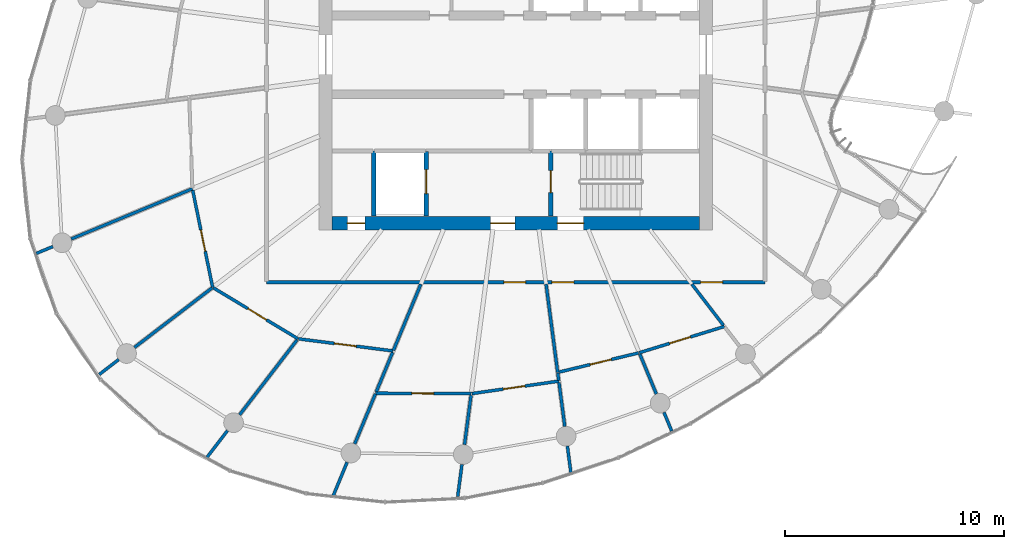
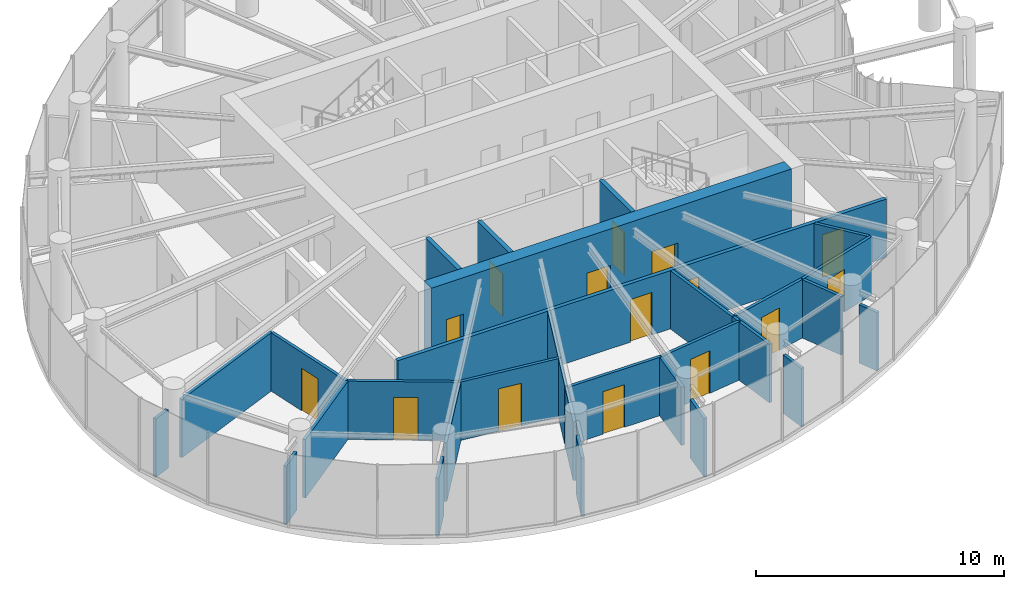
# One storey, part 12 of 17: 31 walls, 15 doors, 15 openings.
"""IFC4 building model written with IfcOpenShell, lengths in metres."""

from ifc_helpers import new_model, si_unit, direction, frame, frame_2d, origin, place, context, subcontext, project, spatial, rectangle, extrude, source, transform, mapped, material, layer, layer_set, type_object, element, fill, save


model = new_model("IFC4")

# Units and contexts
model_context = context("Model", 3, precision=1e-05, world=origin(), true_north=direction((0.0, 1.0)))
body_context = subcontext(model_context, "Body", "Model", "MODEL_VIEW")
ifc_project = project(units=[si_unit("LENGTHUNIT", "METRE"), si_unit("AREAUNIT", "SQUARE_METRE"), si_unit("VOLUMEUNIT", "CUBIC_METRE"), si_unit("PLANEANGLEUNIT", "RADIAN"), si_unit("MASSUNIT", "GRAM", prefix="KILO")], contexts=[model_context])

# Site, building, storey
site_placement = place(None, origin())
site = spatial("IfcSite", under=ifc_project, at=site_placement, CompositionType="ELEMENT")
building_placement = place(site_placement, origin())
building = spatial("IfcBuilding", under=site, at=building_placement, Name="Spindrift Exchange Tower", CompositionType="ELEMENT")
storey_placement = place(building_placement, frame((0.0, 0.0, 187.699951171875)))
storey = spatial("IfcBuildingStorey", under=building, at=storey_placement, Name="L45", CompositionType="ELEMENT", Elevation=187.699951171875)

# Wall, openings, doors
ifc_material_1 = material(Name="Concrete 50 MPa", Category="concrete")
ifc_layer_1 = layer(ifc_material_1, 0.60009765625)
ifc_layer_set_1 = layer_set([ifc_layer_1], Name="RC Core Wall 600 Concrete 50 MPa")
wall_type_1 = type_object("IfcWallType", Name="RC Core Wall 600 Concrete 50 MPa", PredefinedType="SHEAR", material=ifc_layer_set_1)
wall_1_placement = place(storey_placement, frame((43.60009765625, 40.300048828125, 0.0), z_axis=(0.0, 0.0, 1.0), x_axis=(1.0, 0.0, 0.0)))
wall_1 = element("IfcWall", 1, at=wall_1_placement, inside=storey, type_object=wall_type_1, Name="Core wall S L45", PredefinedType="SHEAR", context=body_context, shape_type="SweptSolid", body=[
    extrude(rectangle(XDim=16.7998046875, YDim=0.60009765625, at=frame_2d((8.39990234375, 0.0))), origin(), (0.0, 0.0, 1.0), 3.900146484375),
])
opening_1_placement = place(wall_1_placement, frame((10.300048828125, 0.0, 0.0)))
opening_1 = element("IfcOpeningElement", 2, at=opening_1_placement, cuts=wall_1, Name="Opening L45-D15", PredefinedType="OPENING", context=body_context, shape_type="SweptSolid", body=[
    extrude(rectangle(XDim=1.199951171875, YDim=2.10009765625, at=frame_2d((0.60009765625, 1.050048828125))), frame((0.0, 0.31005859375, 0.0), z_axis=(0.0, -1.0, 0.0), x_axis=(1.0, 0.0, 0.0)), (0.0, 0.0, 1.0), 0.6201171875),
])
opening_2_placement = place(wall_1_placement, frame((7.25, 0.0, 0.0)))
opening_2 = element("IfcOpeningElement", 3, at=opening_2_placement, cuts=wall_1, Name="Opening L45-D17", PredefinedType="OPENING", context=body_context, shape_type="SweptSolid", body=[
    extrude(rectangle(XDim=1.10009765625, YDim=2.10009765625, at=frame_2d((0.550048828125, 1.050048828125))), frame((0.0, 0.31005859375, 0.0), z_axis=(0.0, -1.0, 0.0), x_axis=(1.0, 0.0, 0.0)), (0.0, 0.0, 1.0), 0.6201171875),
])
opening_3_placement = place(wall_1_placement, frame((0.699951171875, 0.0, 0.0)))
opening_3 = element("IfcOpeningElement", 4, at=opening_3_placement, cuts=wall_1, Name="Opening L45-D18", PredefinedType="OPENING", context=body_context, shape_type="SweptSolid", body=[
    extrude(rectangle(XDim=0.800048828125, YDim=2.10009765625, at=frame_2d((0.39990234375, 1.050048828125))), frame((0.0, 0.31005859375, 0.0), z_axis=(0.0, -1.0, 0.0), x_axis=(1.0, 0.0, 0.0)), (0.0, 0.0, 1.0), 0.6201171875),
])
ifc_material_2 = material(Name="Steel fire door", Category="steel")
door_type_1 = type_object("IfcDoorType", Name="DR-STAIR-1200", OperationType="NOTDEFINED", PredefinedType="DOOR", material=ifc_material_2)
shared_shape_1 = source(origin(), body_context, "Body", "SweptSolid", [
    extrude(rectangle(XDim=1.199951171875, YDim=2.10009765625, at=frame_2d((0.60009765625, 1.050048828125))), frame((0.0, 0.02490234375, 0.0), z_axis=(0.0, -1.0, 0.0), x_axis=(1.0, 0.0, 0.0)), (0.0, 0.0, 1.0), 0.050048828125),
])
door_1_placement = place(opening_1_placement, origin())
door_1 = element("IfcDoor", 5, at=door_1_placement, inside=storey, type_object=door_type_1, Name="L45 Stair door 15", OperationType="SINGLE_SWING_LEFT", OverallHeight=2.10009765625, OverallWidth=1.199951171875, PredefinedType="DOOR", context=body_context, shape_type="MappedRepresentation", body=[
    mapped(shared_shape_1, transform((0.0, 0.0, 0.0), scale=1.0)),
])
fill(opening_1, door_1)
ifc_material_3 = material(Name="Timber-core fire door", Category="wood")
door_type_2 = type_object("IfcDoorType", Name="DR-LOBBY-1100", OperationType="NOTDEFINED", PredefinedType="DOOR", material=ifc_material_3)
shared_shape_2 = source(origin(), body_context, "Body", "SweptSolid", [
    extrude(rectangle(XDim=1.10009765625, YDim=2.10009765625, at=frame_2d((0.550048828125, 1.050048828125))), frame((0.0, 0.02490234375, 0.0), z_axis=(0.0, -1.0, 0.0), x_axis=(1.0, 0.0, 0.0)), (0.0, 0.0, 1.0), 0.050048828125),
])
door_2_placement = place(opening_2_placement, origin())
door_2 = element("IfcDoor", 6, at=door_2_placement, inside=storey, type_object=door_type_2, Name="L45 Lobby door 17", OperationType="SINGLE_SWING_LEFT", OverallHeight=2.10009765625, OverallWidth=1.10009765625, PredefinedType="DOOR", context=body_context, shape_type="MappedRepresentation", body=[
    mapped(shared_shape_2, transform((0.0, 0.0, 0.0), scale=1.0)),
])
fill(opening_2, door_2)
ifc_material_4 = material(Name="Steel access door", Category="steel")
door_type_3 = type_object("IfcDoorType", Name="DR-RISER-800", OperationType="NOTDEFINED", PredefinedType="DOOR", material=ifc_material_4)
shared_shape_3 = source(origin(), body_context, "Body", "SweptSolid", [
    extrude(rectangle(XDim=0.800048828125, YDim=2.10009765625, at=frame_2d((0.39990234375, 1.050048828125))), frame((0.0, 0.02490234375, 0.0), z_axis=(0.0, -1.0, 0.0), x_axis=(1.0, 0.0, 0.0)), (0.0, 0.0, 1.0), 0.050048828125),
])
door_3_placement = place(opening_3_placement, origin())
door_3 = element("IfcDoor", 7, at=door_3_placement, inside=storey, type_object=door_type_3, Name="L45 Riser door 18", OperationType="SINGLE_SWING_RIGHT", OverallHeight=2.10009765625, OverallWidth=0.800048828125, PredefinedType="DOOR", context=body_context, shape_type="MappedRepresentation", body=[
    mapped(shared_shape_3, transform((0.0, 0.0, 0.0), scale=1.0)),
])
fill(opening_3, door_3)

ifc_material_5 = material(Name="Fire-rated plasterboard partition", Category="gypsum")
ifc_layer_2 = layer(ifc_material_5, 0.179931640625)
ifc_layer_set_2 = layer_set([ifc_layer_2], Name="W-CORR-180")
wall_type_2 = type_object("IfcWallType", Name="W-CORR-180", PredefinedType="PARTITIONING", material=ifc_layer_set_2)
wall_2_placement = place(storey_placement, frame((63.39990234375, 37.60009765625, 0.0), z_axis=(0.0, 0.0, 1.0), x_axis=(-1.0, 0.0, 0.0)))
wall_2 = element("IfcWall", 8, at=wall_2_placement, inside=storey, type_object=wall_type_2, Name="L45 Partition wall 28", PredefinedType="PARTITIONING", context=body_context, shape_type="SweptSolid", body=[
    extrude(rectangle(XDim=22.7998046875, YDim=0.179931640625, at=frame_2d((11.39990234375, 0.0))), origin(), (0.0, 0.0, 1.0), 2.880126953125),
])
opening_4_placement = place(wall_2_placement, frame((10.949951171875, 0.0, 0.0)))
opening_4 = element("IfcOpeningElement", 9, at=opening_4_placement, cuts=wall_2, Name="Opening L45-D34", PredefinedType="OPENING", context=body_context, shape_type="SweptSolid", body=[
    extrude(rectangle(XDim=1.0, YDim=2.10009765625, at=frame_2d((0.5, 1.050048828125))), frame((0.0, 0.099853515625, 0.0), z_axis=(0.0, -1.0, 0.0), x_axis=(1.0, 0.0, 0.0)), (0.0, 0.0, 1.0), 0.199951171875),
])
opening_5_placement = place(wall_2_placement, frame((8.75, 0.0, 0.0)))
opening_5 = element("IfcOpeningElement", 10, at=opening_5_placement, cuts=wall_2, Name="Opening L45-D37", PredefinedType="OPENING", context=body_context, shape_type="SweptSolid", body=[
    extrude(rectangle(XDim=1.0, YDim=2.10009765625, at=frame_2d((0.5, 1.050048828125))), frame((0.0, 0.099853515625, 0.0), z_axis=(0.0, -1.0, 0.0), x_axis=(1.0, 0.0, 0.0)), (0.0, 0.0, 1.0), 0.199951171875),
])
opening_6_placement = place(wall_2_placement, frame((1.949951171875, 0.0, 0.0)))
opening_6 = element("IfcOpeningElement", 11, at=opening_6_placement, cuts=wall_2, Name="Opening L45-D40", PredefinedType="OPENING", context=body_context, shape_type="SweptSolid", body=[
    extrude(rectangle(XDim=1.0, YDim=2.10009765625, at=frame_2d((0.5, 1.050048828125))), frame((0.0, 0.099853515625, 0.0), z_axis=(0.0, -1.0, 0.0), x_axis=(1.0, 0.0, 0.0)), (0.0, 0.0, 1.0), 0.199951171875),
])
door_type_4 = type_object("IfcDoorType", Name="DR-ROOM-1000", OperationType="NOTDEFINED", PredefinedType="DOOR", material=ifc_material_3)
shared_shape_4 = source(origin(), body_context, "Body", "SweptSolid", [
    extrude(rectangle(XDim=1.0, YDim=2.10009765625, at=frame_2d((0.5, 1.050048828125))), frame((0.0, 0.02490234375, 0.0), z_axis=(0.0, -1.0, 0.0), x_axis=(1.0, 0.0, 0.0)), (0.0, 0.0, 1.0), 0.050048828125),
])
door_4_placement = place(opening_4_placement, origin())
door_4 = element("IfcDoor", 12, at=door_4_placement, inside=storey, type_object=door_type_4, Name="L45 Door 34", OperationType="SINGLE_SWING_RIGHT", OverallHeight=2.10009765625, OverallWidth=1.0, PredefinedType="DOOR", context=body_context, shape_type="MappedRepresentation", body=[
    mapped(shared_shape_4, transform((0.0, 0.0, 0.0), scale=1.0)),
])
fill(opening_4, door_4)
door_5_placement = place(opening_5_placement, origin())
door_5 = element("IfcDoor", 13, at=door_5_placement, inside=storey, type_object=door_type_4, Name="L45 Door 37", OperationType="SINGLE_SWING_LEFT", OverallHeight=2.10009765625, OverallWidth=1.0, PredefinedType="DOOR", context=body_context, shape_type="MappedRepresentation", body=[
    mapped(shared_shape_4, transform((0.0, 0.0, 0.0), scale=1.0)),
])
fill(opening_5, door_5)
door_6_placement = place(opening_6_placement, origin())
door_6 = element("IfcDoor", 14, at=door_6_placement, inside=storey, type_object=door_type_4, Name="L45 Door 40", OperationType="SINGLE_SWING_RIGHT", OverallHeight=2.10009765625, OverallWidth=1.0, PredefinedType="DOOR", context=body_context, shape_type="MappedRepresentation", body=[
    mapped(shared_shape_4, transform((0.0, 0.0, 0.0), scale=1.0)),
])
fill(opening_6, door_6)

# Wall
ifc_layer_3 = layer(ifc_material_5, 0.139892578125)
ifc_layer_set_3 = layer_set([ifc_layer_3], Name="W-PART-140")
wall_type_3 = type_object("IfcWallType", Name="W-PART-140", PredefinedType="PARTITIONING", material=ifc_layer_set_3)
wall_3_placement = place(storey_placement, frame((37.208740234375, 41.873291015625, 0.0), z_axis=(0.0, 0.0, 1.0), x_axis=(-0.923876934089, -0.38268970545, 0.0)))
element("IfcWall", 15, at=wall_3_placement, inside=storey, type_object=wall_type_3, Name="L45 Partition wall 31", PredefinedType="PARTITIONING", context=body_context, shape_type="SweptSolid", body=[
    extrude(rectangle(XDim=5.998046875, YDim=0.139892578125, at=frame_2d((2.9990234375, 0.0))), origin(), (0.0, 0.0, 1.0), 2.880126953125),
])

# Wall, opening, door
wall_4_placement = place(storey_placement, frame((38.13623046875, 37.362060546875, 0.0), z_axis=(0.0, 0.0, 1.0), x_axis=(-0.201373374917, 0.979514555213, 0.0)))
wall_4 = element("IfcWall", 16, at=wall_4_placement, inside=storey, type_object=wall_type_3, Name="L45 Partition wall 34", PredefinedType="PARTITIONING", context=body_context, shape_type="SweptSolid", body=[
    extrude(rectangle(XDim=4.5341796875, YDim=0.139892578125, at=frame_2d((2.26708984375, 0.0))), origin(), (0.0, 0.0, 1.0), 2.880126953125),
])
opening_7_placement = place(wall_4_placement, frame((1.684326171875, 0.0, 0.0)))
opening_7 = element("IfcOpeningElement", 17, at=opening_7_placement, cuts=wall_4, Name="Opening L45-D31", PredefinedType="OPENING", context=body_context, shape_type="SweptSolid", body=[
    extrude(rectangle(XDim=1.0, YDim=2.10009765625, at=frame_2d((0.5, 1.050048828125))), frame((0.0, 0.079833984375, 0.0), z_axis=(0.0, -1.0, 0.0), x_axis=(1.0, 0.0, 0.0)), (0.0, 0.0, 1.0), 0.159912109375),
])
door_7_placement = place(opening_7_placement, origin())
door_7 = element("IfcDoor", 18, at=door_7_placement, inside=storey, type_object=door_type_4, Name="L45 Door 31", OperationType="SINGLE_SWING_LEFT", OverallHeight=2.10009765625, OverallWidth=1.0, PredefinedType="DOOR", context=body_context, shape_type="MappedRepresentation", body=[
    mapped(shared_shape_4, transform((0.0, 0.0, 0.0), scale=1.0)),
])
fill(opening_7, door_7)

wall_5_placement = place(storey_placement, frame((42.0361328125, 35.014892578125, 0.0), z_axis=(0.0, 0.0, 1.0), x_axis=(-0.856772700272, 0.515694231176, 0.0)))
wall_5 = element("IfcWall", 19, at=wall_5_placement, inside=storey, type_object=wall_type_3, Name="L45 Partition wall 35", PredefinedType="PARTITIONING", context=body_context, shape_type="SweptSolid", body=[
    extrude(rectangle(XDim=4.521728515625, YDim=0.139892578125, at=frame_2d((2.2607421875, 0.0))), origin(), (0.0, 0.0, 1.0), 2.880126953125),
])
opening_8_placement = place(wall_5_placement, frame((1.671630859375, 0.0, 0.0)))
opening_8 = element("IfcOpeningElement", 20, at=opening_8_placement, cuts=wall_5, Name="Opening L45-D32", PredefinedType="OPENING", context=body_context, shape_type="SweptSolid", body=[
    extrude(rectangle(XDim=1.0, YDim=2.10009765625, at=frame_2d((0.5, 1.050048828125))), frame((0.0, 0.079833984375, 0.0), z_axis=(0.0, -1.0, 0.0), x_axis=(1.0, 0.0, 0.0)), (0.0, 0.0, 1.0), 0.159912109375),
])
door_8_placement = place(opening_8_placement, origin())
door_8 = element("IfcDoor", 21, at=door_8_placement, inside=storey, type_object=door_type_4, Name="L45 Door 32", OperationType="SINGLE_SWING_RIGHT", OverallHeight=2.10009765625, OverallWidth=1.0, PredefinedType="DOOR", context=body_context, shape_type="MappedRepresentation", body=[
    mapped(shared_shape_4, transform((0.0, 0.0, 0.0), scale=1.0)),
])
fill(opening_8, door_8)

# Wall
wall_6_placement = place(storey_placement, frame((38.112548828125, 37.34375, 0.0), z_axis=(0.0, 0.0, 1.0), x_axis=(-0.793352786595, -0.608762150599, 0.0)))
element("IfcWall", 22, at=wall_6_placement, inside=storey, type_object=wall_type_3, Name="L45 Partition wall 36", PredefinedType="PARTITIONING", context=body_context, shape_type="SweptSolid", body=[
    extrude(rectangle(XDim=4.479736328125, YDim=0.139892578125, at=frame_2d((2.23974609375, 0.0))), origin(), (0.0, 0.0, 1.0), 2.880126953125),
])

# Wall, opening, door
wall_7_placement = place(storey_placement, frame((46.390380859375, 34.45751953125, 0.0), z_axis=(0.0, 0.0, 1.0), x_axis=(-0.991909170029, 0.126949590044, 0.0)))
wall_7 = element("IfcWall", 23, at=wall_7_placement, inside=storey, type_object=wall_type_3, Name="L45 Partition wall 37", PredefinedType="PARTITIONING", context=body_context, shape_type="SweptSolid", body=[
    extrude(rectangle(XDim=4.359619140625, YDim=0.139892578125, at=frame_2d((2.1796875, 0.0))), origin(), (0.0, 0.0, 1.0), 2.880126953125),
])
opening_9_placement = place(wall_7_placement, frame((1.7099609375, 0.0, 0.0)))
opening_9 = element("IfcOpeningElement", 24, at=opening_9_placement, cuts=wall_7, Name="Opening L45-D33", PredefinedType="OPENING", context=body_context, shape_type="SweptSolid", body=[
    extrude(rectangle(XDim=1.0, YDim=2.10009765625, at=frame_2d((0.5, 1.050048828125))), frame((0.0, 0.079833984375, 0.0), z_axis=(0.0, -1.0, 0.0), x_axis=(1.0, 0.0, 0.0)), (0.0, 0.0, 1.0), 0.159912109375),
])
door_9_placement = place(opening_9_placement, origin())
door_9 = element("IfcDoor", 25, at=door_9_placement, inside=storey, type_object=door_type_4, Name="L45 Door 33", OperationType="SINGLE_SWING_LEFT", OverallHeight=2.10009765625, OverallWidth=1.0, PredefinedType="DOOR", context=body_context, shape_type="MappedRepresentation", body=[
    mapped(shared_shape_4, transform((0.0, 0.0, 0.0), scale=1.0)),
])
fill(opening_9, door_9)

# Wall
wall_8_placement = place(storey_placement, frame((41.993408203125, 34.958984375, 0.0), z_axis=(0.0, 0.0, 1.0), x_axis=(-0.608785643194, -0.793334759506, 0.0)))
element("IfcWall", 26, at=wall_8_placement, inside=storey, type_object=wall_type_3, Name="L45 Partition wall 38", PredefinedType="PARTITIONING", context=body_context, shape_type="SweptSolid", body=[
    extrude(rectangle(XDim=4.312744140625, YDim=0.139892578125, at=frame_2d((2.15625, 0.0))), origin(), (0.0, 0.0, 1.0), 2.880126953125),
])

# Wall, opening, door
wall_9_placement = place(storey_placement, frame((49.959716796875, 32.5029296875, 0.0), z_axis=(0.0, 0.0, 1.0), x_axis=(-0.999986789233, 0.005140171226, 0.0)))
wall_9 = element("IfcWall", 27, at=wall_9_placement, inside=storey, type_object=wall_type_3, Name="L45 Partition wall 39", PredefinedType="PARTITIONING", context=body_context, shape_type="SweptSolid", body=[
    extrude(rectangle(XDim=4.36962890625, YDim=0.139892578125, at=frame_2d((2.184814453125, 0.0))), origin(), (0.0, 0.0, 1.0), 2.880126953125),
])
opening_10_placement = place(wall_9_placement, frame((1.7197265625, 0.0, 0.0)))
opening_10 = element("IfcOpeningElement", 28, at=opening_10_placement, cuts=wall_9, Name="Opening L45-D35", PredefinedType="OPENING", context=body_context, shape_type="SweptSolid", body=[
    extrude(rectangle(XDim=1.0, YDim=2.10009765625, at=frame_2d((0.5, 1.050048828125))), frame((0.0, 0.079833984375, 0.0), z_axis=(0.0, -1.0, 0.0), x_axis=(1.0, 0.0, 0.0)), (0.0, 0.0, 1.0), 0.159912109375),
])
door_10_placement = place(opening_10_placement, origin())
door_10 = element("IfcDoor", 29, at=door_10_placement, inside=storey, type_object=door_type_4, Name="L45 Door 35", OperationType="SINGLE_SWING_LEFT", OverallHeight=2.10009765625, OverallWidth=1.0, PredefinedType="DOOR", context=body_context, shape_type="MappedRepresentation", body=[
    mapped(shared_shape_4, transform((0.0, 0.0, 0.0), scale=1.0)),
])
fill(opening_10, door_10)

# Wall
wall_10_placement = place(storey_placement, frame((53.381103515625, 37.510009765625, 0.0), z_axis=(0.0, 0.0, 1.0), x_axis=(0.130488670912, -0.991449800425, 0.0)))
element("IfcWall", 30, at=wall_10_placement, inside=storey, type_object=wall_type_3, Name="L45 Partition wall 47", PredefinedType="PARTITIONING", context=body_context, shape_type="SweptSolid", body=[
    extrude(rectangle(XDim=4.0673828125, YDim=0.139892578125, at=frame_2d((2.03369140625, 0.0))), origin(), (0.0, 0.0, 1.0), 2.880126953125),
])

# Wall, opening, door
wall_11_placement = place(storey_placement, frame((61.533447265625, 35.57568359375, 0.0), z_axis=(0.0, 0.0, 1.0), x_axis=(-0.955550499177, -0.294827480949, 0.0)))
wall_11 = element("IfcWall", 31, at=wall_11_placement, inside=storey, type_object=wall_type_3, Name="L45 Partition wall 48", PredefinedType="PARTITIONING", context=body_context, shape_type="SweptSolid", body=[
    extrude(rectangle(XDim=4.07080078125, YDim=0.139892578125, at=frame_2d((2.035400390625, 0.0))), origin(), (0.0, 0.0, 1.0), 2.880126953125),
])
opening_11_placement = place(wall_11_placement, frame((1.620849609375, 0.0, 0.0)))
opening_11 = element("IfcOpeningElement", 32, at=opening_11_placement, cuts=wall_11, Name="Opening L45-D39", PredefinedType="OPENING", context=body_context, shape_type="SweptSolid", body=[
    extrude(rectangle(XDim=1.0, YDim=2.10009765625, at=frame_2d((0.5, 1.050048828125))), frame((0.0, 0.079833984375, 0.0), z_axis=(0.0, -1.0, 0.0), x_axis=(1.0, 0.0, 0.0)), (0.0, 0.0, 1.0), 0.159912109375),
])
door_11_placement = place(opening_11_placement, origin())
door_11 = element("IfcDoor", 33, at=door_11_placement, inside=storey, type_object=door_type_4, Name="L45 Door 39", OperationType="SINGLE_SWING_LEFT", OverallHeight=2.10009765625, OverallWidth=1.0, PredefinedType="DOOR", context=body_context, shape_type="MappedRepresentation", body=[
    mapped(shared_shape_4, transform((0.0, 0.0, 0.0), scale=1.0)),
])
fill(opening_11, door_11)

wall_12_placement = place(storey_placement, frame((53.964599609375, 33.077880859375, 0.0), z_axis=(0.0, 0.0, 1.0), x_axis=(-0.989847101662, -0.142136256215, 0.0)))
wall_12 = element("IfcWall", 34, at=wall_12_placement, inside=storey, type_object=wall_type_3, Name="L45 Partition wall 49", PredefinedType="PARTITIONING", context=body_context, shape_type="SweptSolid", body=[
    extrude(rectangle(XDim=4.015869140625, YDim=0.139892578125, at=frame_2d((2.0078125, 0.0))), origin(), (0.0, 0.0, 1.0), 2.880126953125),
])
opening_12_placement = place(wall_12_placement, frame((1.56591796875, 0.0, 0.0)))
opening_12 = element("IfcOpeningElement", 35, at=opening_12_placement, cuts=wall_12, Name="Opening L45-D36", PredefinedType="OPENING", context=body_context, shape_type="SweptSolid", body=[
    extrude(rectangle(XDim=1.0, YDim=2.10009765625, at=frame_2d((0.5, 1.050048828125))), frame((0.0, 0.079833984375, 0.0), z_axis=(0.0, -1.0, 0.0), x_axis=(1.0, 0.0, 0.0)), (0.0, 0.0, 1.0), 0.159912109375),
])
door_12_placement = place(opening_12_placement, origin())
door_12 = element("IfcDoor", 36, at=door_12_placement, inside=storey, type_object=door_type_4, Name="L45 Door 36", OperationType="SINGLE_SWING_RIGHT", OverallHeight=2.10009765625, OverallWidth=1.0, PredefinedType="DOOR", context=body_context, shape_type="MappedRepresentation", body=[
    mapped(shared_shape_4, transform((0.0, 0.0, 0.0), scale=1.0)),
])
fill(opening_12, door_12)

wall_13_placement = place(storey_placement, frame((57.614501953125, 34.368408203125, 0.0), z_axis=(0.0, 0.0, 1.0), x_axis=(-0.97224482682, -0.233965802463, 0.0)))
wall_13 = element("IfcWall", 37, at=wall_13_placement, inside=storey, type_object=wall_type_3, Name="L45 Partition wall 52", PredefinedType="PARTITIONING", context=body_context, shape_type="SweptSolid", body=[
    extrude(rectangle(XDim=3.73779296875, YDim=0.139892578125, at=frame_2d((1.868896484375, 0.0))), origin(), (0.0, 0.0, 1.0), 2.880126953125),
])
opening_13_placement = place(wall_13_placement, frame((1.28759765625, 0.0, 0.0)))
opening_13 = element("IfcOpeningElement", 38, at=opening_13_placement, cuts=wall_13, Name="Opening L45-D38", PredefinedType="OPENING", context=body_context, shape_type="SweptSolid", body=[
    extrude(rectangle(XDim=1.0, YDim=2.10009765625, at=frame_2d((0.5, 1.050048828125))), frame((0.0, 0.079833984375, 0.0), z_axis=(0.0, -1.0, 0.0), x_axis=(1.0, 0.0, 0.0)), (0.0, 0.0, 1.0), 0.159912109375),
])
door_13_placement = place(opening_13_placement, origin())
door_13 = element("IfcDoor", 39, at=door_13_placement, inside=storey, type_object=door_type_4, Name="L45 Door 38", OperationType="SINGLE_SWING_RIGHT", OverallHeight=2.10009765625, OverallWidth=1.0, PredefinedType="DOOR", context=body_context, shape_type="MappedRepresentation", body=[
    mapped(shared_shape_4, transform((0.0, 0.0, 0.0), scale=1.0)),
])
fill(opening_13, door_13)

# Walls
wall_14_placement = place(storey_placement, frame((47.65478515625, 37.510009765625, 0.0), z_axis=(0.0, 0.0, 1.0), x_axis=(-0.382613033564, -0.923908689507, 0.0)))
element("IfcWall", 40, at=wall_14_placement, inside=storey, type_object=wall_type_3, Name="L45 Partition wall 57", PredefinedType="PARTITIONING", context=body_context, shape_type="SweptSolid", body=[
    extrude(rectangle(XDim=3.27392578125, YDim=0.139892578125, at=frame_2d((1.636962890625, 0.0))), origin(), (0.0, 0.0, 1.0), 2.880126953125),
])
wall_15_placement = place(storey_placement, frame((60.04931640625, 37.510009765625, 0.0), z_axis=(0.0, 0.0, 1.0), x_axis=(0.608756795241, -0.793356895885, 0.0)))
element("IfcWall", 41, at=wall_15_placement, inside=storey, type_object=wall_type_3, Name="L45 Partition wall 62", PredefinedType="PARTITIONING", context=body_context, shape_type="SweptSolid", body=[
    extrude(rectangle(XDim=2.36328125, YDim=0.139892578125, at=frame_2d((1.181640625, 0.0))), origin(), (0.0, 0.0, 1.0), 2.880126953125),
])
wall_16_placement = place(storey_placement, frame((45.57861328125, 32.49755859375, 0.0), z_axis=(0.0, 0.0, 1.0), x_axis=(-0.38268861501, -0.923877385773, 0.0)))
element("IfcWall", 42, at=wall_16_placement, inside=storey, type_object=wall_type_3, Name="L45 Partition wall 63", PredefinedType="PARTITIONING", context=body_context, shape_type="SweptSolid", body=[
    extrude(rectangle(XDim=2.475341796875, YDim=0.139892578125, at=frame_2d((1.23779296875, 0.0))), origin(), (0.0, 0.0, 1.0), 2.880126953125),
])
wall_17_placement = place(storey_placement, frame((49.95068359375, 32.43310546875, 0.0), z_axis=(0.0, 0.0, 1.0), x_axis=(-0.130620685545, -0.991432416511, 0.0)))
element("IfcWall", 43, at=wall_17_placement, inside=storey, type_object=wall_type_3, Name="L45 Partition wall 66", PredefinedType="PARTITIONING", context=body_context, shape_type="SweptSolid", body=[
    extrude(rectangle(XDim=2.2802734375, YDim=0.139892578125, at=frame_2d((1.14013671875, 0.0))), origin(), (0.0, 0.0, 1.0), 2.880126953125),
])
wall_18_placement = place(storey_placement, frame((46.36279296875, 34.390380859375, 0.0), z_axis=(0.0, 0.0, 1.0), x_axis=(-0.382714283838, -0.923866752809, 0.0)))
element("IfcWall", 44, at=wall_18_placement, inside=storey, type_object=wall_type_3, Name="L45 Partition wall 68", PredefinedType="PARTITIONING", context=body_context, shape_type="SweptSolid", body=[
    extrude(rectangle(XDim=1.943115234375, YDim=0.139892578125, at=frame_2d((0.9716796875, 0.0))), origin(), (0.0, 0.0, 1.0), 2.880126953125),
])
wall_19_placement = place(storey_placement, frame((53.9736328125, 33.00830078125, 0.0), z_axis=(0.0, 0.0, 1.0), x_axis=(0.130570332489, -0.991439049198, 0.0)))
element("IfcWall", 45, at=wall_19_placement, inside=storey, type_object=wall_type_3, Name="L45 Partition wall 69", PredefinedType="PARTITIONING", context=body_context, shape_type="SweptSolid", body=[
    extrude(rectangle(XDim=2.017578125, YDim=0.139892578125, at=frame_2d((1.0087890625, 0.0))), origin(), (0.0, 0.0, 1.0), 2.880126953125),
])
wall_20_placement = place(storey_placement, frame((57.67041015625, 34.310302734375, 0.0), z_axis=(0.0, 0.0, 1.0), x_axis=(0.382679925467, -0.923880985108, 0.0)))
element("IfcWall", 46, at=wall_20_placement, inside=storey, type_object=wall_type_3, Name="L45 Partition wall 70", PredefinedType="PARTITIONING", context=body_context, shape_type="SweptSolid", body=[
    extrude(rectangle(XDim=1.971435546875, YDim=0.139892578125, at=frame_2d((0.98583984375, 0.0))), origin(), (0.0, 0.0, 1.0), 2.880126953125),
])
wall_21_placement = place(storey_placement, frame((44.283203125, 29.369873046875, 0.0), z_axis=(0.0, 0.0, 1.0), x_axis=(-0.382707947272, -0.923869377723, 0.0)))
element("IfcWall", 47, at=wall_21_placement, inside=storey, type_object=wall_type_3, Name="L45 Partition wall 77", PredefinedType="PARTITIONING", context=body_context, shape_type="SweptSolid", body=[
    extrude(rectangle(XDim=1.65478515625, YDim=0.139892578125, at=frame_2d((0.827392578125, 0.0))), origin(), (0.0, 0.0, 1.0), 2.880126953125),
])
wall_22_placement = place(storey_placement, frame((38.814453125, 30.81640625, 0.0), z_axis=(0.0, 0.0, 1.0), x_axis=(-0.608679829307, -0.793415947278, 0.0)))
element("IfcWall", 48, at=wall_22_placement, inside=storey, type_object=wall_type_3, Name="L45 Partition wall 79", PredefinedType="PARTITIONING", context=body_context, shape_type="SweptSolid", body=[
    extrude(rectangle(XDim=1.568603515625, YDim=0.139892578125, at=frame_2d((0.7841796875, 0.0))), origin(), (0.0, 0.0, 1.0), 2.880126953125),
])
wall_23_placement = place(storey_placement, frame((49.5341796875, 29.27099609375, 0.0), z_axis=(0.0, 0.0, 1.0), x_axis=(-0.130484270085, -0.991450379626, 0.0)))
element("IfcWall", 49, at=wall_23_placement, inside=storey, type_object=wall_type_3, Name="L45 Partition wall 80", PredefinedType="PARTITIONING", context=body_context, shape_type="SweptSolid", body=[
    extrude(rectangle(XDim=1.485595703125, YDim=0.139892578125, at=frame_2d((0.74267578125, 0.0))), origin(), (0.0, 0.0, 1.0), 2.880126953125),
])
wall_24_placement = place(storey_placement, frame((54.355712890625, 30.10693359375, 0.0), z_axis=(0.0, 0.0, 1.0), x_axis=(0.130516938272, -0.991446079635, 0.0)))
element("IfcWall", 50, at=wall_24_placement, inside=storey, type_object=wall_type_3, Name="L45 Partition wall 81", PredefinedType="PARTITIONING", context=body_context, shape_type="SweptSolid", body=[
    extrude(rectangle(XDim=1.214111328125, YDim=0.139892578125, at=frame_2d((0.60693359375, 0.0))), origin(), (0.0, 0.0, 1.0), 2.880126953125),
])
wall_25_placement = place(storey_placement, frame((33.83740234375, 34.063232421875, 0.0), z_axis=(0.0, 0.0, 1.0), x_axis=(-0.793385234627, -0.608719861247, 0.0)))
element("IfcWall", 51, at=wall_25_placement, inside=storey, type_object=wall_type_3, Name="L45 Partition wall 83", PredefinedType="PARTITIONING", context=body_context, shape_type="SweptSolid", body=[
    extrude(rectangle(XDim=1.119873046875, YDim=0.139892578125, at=frame_2d((0.56005859375, 0.0))), origin(), (0.0, 0.0, 1.0), 2.880126953125),
])
wall_26_placement = place(storey_placement, frame((58.773193359375, 31.648193359375, 0.0), z_axis=(0.0, 0.0, 1.0), x_axis=(0.382656259044, -0.923890787601, 0.0)))
element("IfcWall", 52, at=wall_26_placement, inside=storey, type_object=wall_type_3, Name="L45 Partition wall 85", PredefinedType="PARTITIONING", context=body_context, shape_type="SweptSolid", body=[
    extrude(rectangle(XDim=0.920654296875, YDim=0.139892578125, at=frame_2d((0.46044921875, 0.0))), origin(), (0.0, 0.0, 1.0), 2.880126953125),
])
wall_27_placement = place(storey_placement, frame((30.826416015625, 39.229736328125, 0.0), z_axis=(0.0, 0.0, 1.0), x_axis=(-0.923831922477, -0.382798352939, 0.0)))
element("IfcWall", 53, at=wall_27_placement, inside=storey, type_object=wall_type_3, Name="L45 Partition wall 91", PredefinedType="PARTITIONING", context=body_context, shape_type="SweptSolid", body=[
    extrude(rectangle(XDim=0.82080078125, YDim=0.139892578125, at=frame_2d((0.410400390625, 0.0))), origin(), (0.0, 0.0, 1.0), 2.880126953125),
])
wall_28_placement = place(storey_placement, frame((53.916015625, 33.447509765625, 0.0), z_axis=(0.0, 0.0, 1.0), x_axis=(0.13025198061, -0.991480923441, 0.0)))
element("IfcWall", 54, at=wall_28_placement, inside=storey, type_object=wall_type_3, Name="L45 Partition wall 96", PredefinedType="PARTITIONING", context=body_context, shape_type="SweptSolid", body=[
    extrude(rectangle(XDim=0.343017578125, YDim=0.139892578125, at=frame_2d((0.17138671875, 0.0))), origin(), (0.0, 0.0, 1.0), 2.880126953125),
])
ifc_material_6 = material(Name="Concrete 40 MPa", Category="concrete")
ifc_layer_4 = layer(ifc_material_6, 0.199951171875)
ifc_layer_set_4 = layer_set([ifc_layer_4], Name="W-SHAFT-200")
wall_type_4 = type_object("IfcWallType", Name="W-SHAFT-200", PredefinedType="SOLIDWALL", material=ifc_layer_set_4)
wall_29_placement = place(storey_placement, frame((45.5, 43.60009765625, 0.0), z_axis=(0.0, 0.0, 1.0), x_axis=(0.0, -1.0, 0.0)))
element("IfcWall", 55, at=wall_29_placement, inside=storey, type_object=wall_type_4, Name="L45 Shaft wall 3", PredefinedType="SOLIDWALL", context=body_context, shape_type="SweptSolid", body=[
    extrude(rectangle(XDim=2.97998046875, YDim=0.199951171875, at=frame_2d((1.489990234375, 0.0))), origin(), (0.0, 0.0, 1.0), 3.580078125),
])

# Wall, opening, door
wall_30_placement = place(storey_placement, frame((47.89990234375, 40.6201171875, 0.0), z_axis=(0.0, 0.0, 1.0), x_axis=(0.0, 1.0, 0.0)))
wall_30 = element("IfcWall", 56, at=wall_30_placement, inside=storey, type_object=wall_type_4, Name="L45 Shaft wall 4", PredefinedType="SOLIDWALL", context=body_context, shape_type="SweptSolid", body=[
    extrude(rectangle(XDim=2.949951171875, YDim=0.199951171875, at=frame_2d((1.47509765625, 0.0))), origin(), (0.0, 0.0, 1.0), 3.580078125),
])
opening_14_placement = place(wall_30_placement, frame((1.030029296875, 0.0, 0.0)))
opening_14 = element("IfcOpeningElement", 57, at=opening_14_placement, cuts=wall_30, Name="Opening L45-D10", PredefinedType="OPENING", context=body_context, shape_type="SweptSolid", body=[
    extrude(rectangle(XDim=1.10009765625, YDim=2.10009765625, at=frame_2d((0.550048828125, 1.050048828125))), frame((0.0, 0.10986328125, 0.0), z_axis=(0.0, -1.0, 0.0), x_axis=(1.0, 0.0, 0.0)), (0.0, 0.0, 1.0), 0.219970703125),
])
ifc_material_7 = material(Name="Stainless steel landing door", Category="steel")
door_type_5 = type_object("IfcDoorType", Name="DR-LANDING-1100-SL", OperationType="DOUBLE_DOOR_SLIDING", PredefinedType="USERDEFINED", material=ifc_material_7)
shared_shape_5 = source(origin(), body_context, "Body", "SweptSolid", [
    extrude(rectangle(XDim=1.10009765625, YDim=2.10009765625, at=frame_2d((0.550048828125, 1.050048828125))), frame((0.0, 0.02490234375, 0.0), z_axis=(0.0, -1.0, 0.0), x_axis=(1.0, 0.0, 0.0)), (0.0, 0.0, 1.0), 0.050048828125),
])
door_14_placement = place(opening_14_placement, origin())
door_14 = element("IfcDoor", 58, at=door_14_placement, inside=storey, type_object=door_type_5, Name="L45 Lift landing door 10", ObjectType="LANDING DOOR", OperationType="DOUBLE_DOOR_SLIDING", OverallHeight=2.10009765625, OverallWidth=1.10009765625, PredefinedType="USERDEFINED", context=body_context, shape_type="MappedRepresentation", body=[
    mapped(shared_shape_5, transform((0.0, 0.0, 0.0), scale=1.0)),
])
fill(opening_14, door_14)

ifc_layer_5 = layer(ifc_material_6, 0.199951171875)
ifc_layer_set_5 = layer_set([ifc_layer_5], Name="W-SHAFT-200-LB")
wall_type_5 = type_object("IfcWallType", Name="W-SHAFT-200-LB", PredefinedType="SOLIDWALL", material=ifc_layer_set_5)
wall_31_placement = place(storey_placement, frame((53.60009765625, 43.60009765625, 0.0), z_axis=(0.0, 0.0, 1.0), x_axis=(0.0, -1.0, 0.0)))
wall_31 = element("IfcWall", 59, at=wall_31_placement, inside=storey, type_object=wall_type_5, Name="L45 Shaft wall 6", PredefinedType="SOLIDWALL", context=body_context, shape_type="SweptSolid", body=[
    extrude(rectangle(XDim=2.97998046875, YDim=0.199951171875, at=frame_2d((1.489990234375, 0.0))), origin(), (0.0, 0.0, 1.0), 3.580078125),
])
opening_15_placement = place(wall_31_placement, frame((0.89990234375, 0.0, 0.0)))
opening_15 = element("IfcOpeningElement", 60, at=opening_15_placement, cuts=wall_31, Name="Opening L45-D16", PredefinedType="OPENING", context=body_context, shape_type="SweptSolid", body=[
    extrude(rectangle(XDim=1.0, YDim=2.10009765625, at=frame_2d((0.5, 1.050048828125))), frame((0.0, 0.10986328125, 0.0), z_axis=(0.0, -1.0, 0.0), x_axis=(1.0, 0.0, 0.0)), (0.0, 0.0, 1.0), 0.219970703125),
])
door_type_6 = type_object("IfcDoorType", Name="DR-STAIR-1000", OperationType="NOTDEFINED", PredefinedType="DOOR", material=ifc_material_2)
shared_shape_6 = source(origin(), body_context, "Body", "SweptSolid", [
    extrude(rectangle(XDim=1.0, YDim=2.10009765625, at=frame_2d((0.5, 1.050048828125))), frame((0.0, 0.02490234375, 0.0), z_axis=(0.0, -1.0, 0.0), x_axis=(1.0, 0.0, 0.0)), (0.0, 0.0, 1.0), 0.050048828125),
])
door_15_placement = place(opening_15_placement, origin())
door_15 = element("IfcDoor", 61, at=door_15_placement, inside=storey, type_object=door_type_6, Name="L45 Stair door 16", OperationType="SINGLE_SWING_RIGHT", OverallHeight=2.10009765625, OverallWidth=1.0, PredefinedType="DOOR", context=body_context, shape_type="MappedRepresentation", body=[
    mapped(shared_shape_6, transform((0.0, 0.0, 0.0), scale=1.0)),
])
fill(opening_15, door_15)

save(model, "model.ifc")
